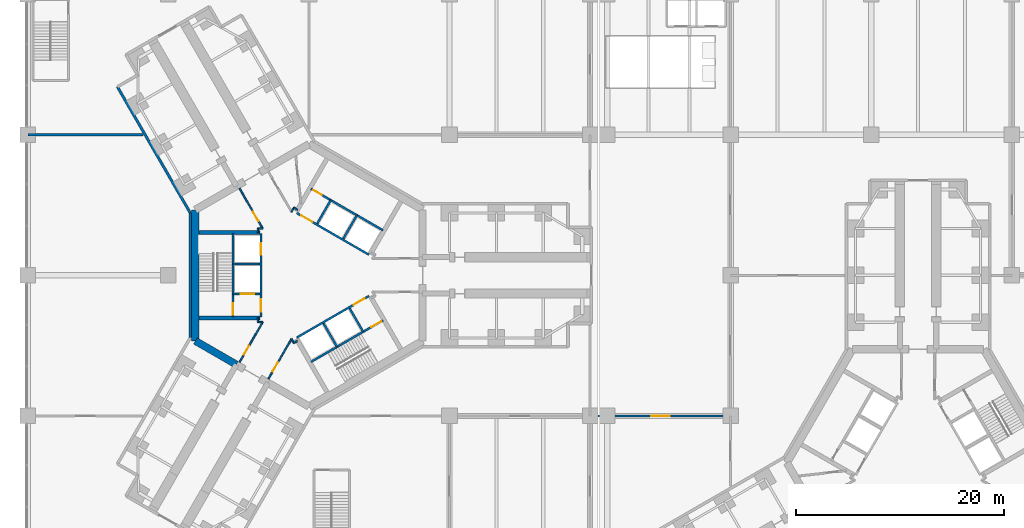
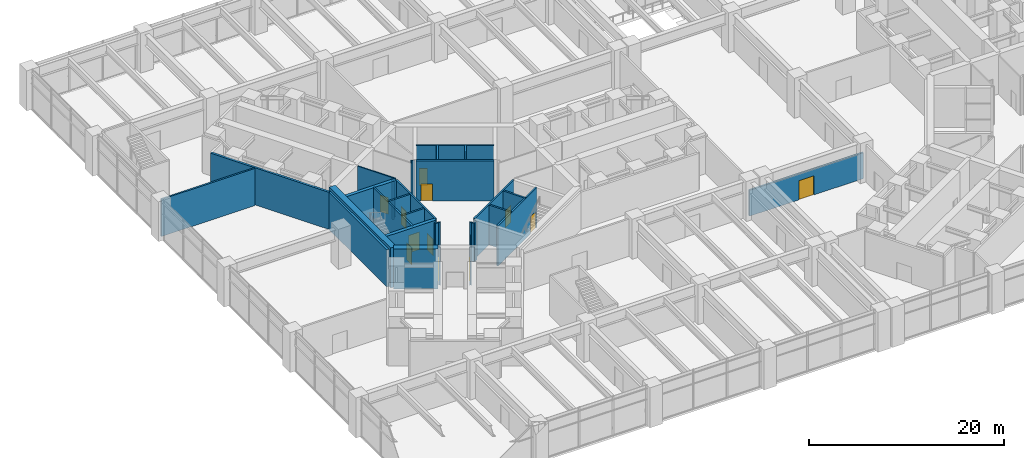
# One storey, part 22 of 31: 31 walls, 12 doors, 12 openings.
"""IFC4 building model written with IfcOpenShell, lengths in metres."""

from ifc_helpers import new_model, si_unit, direction, frame, frame_2d, origin, place, context, subcontext, project, spatial, rectangle, extrude, material, layer, layer_set, type_object, element, fill, save


model = new_model("IFC4")

# Units and contexts
model_context = context("Model", 3, precision=1e-05, world=origin(), true_north=direction((0.0, 1.0)))
body_context = subcontext(model_context, "Body", "Model", "MODEL_VIEW")
ifc_project = project(units=[si_unit("LENGTHUNIT", "METRE"), si_unit("AREAUNIT", "SQUARE_METRE"), si_unit("VOLUMEUNIT", "CUBIC_METRE"), si_unit("PLANEANGLEUNIT", "RADIAN"), si_unit("MASSUNIT", "GRAM", prefix="KILO")], contexts=[model_context])

# Site, building, storey
site_placement = place(None, origin())
site = spatial("IfcSite", under=ifc_project, at=site_placement, CompositionType="ELEMENT")
building_placement = place(site_placement, origin())
building = spatial("IfcBuilding", under=site, at=building_placement, Name="Upepo Twin Towers", CompositionType="ELEMENT")
storey_placement = place(building_placement, frame((0.0, 0.0, 15.5)))
storey = spatial("IfcBuildingStorey", under=building, at=storey_placement, Name="L03", CompositionType="ELEMENT", Elevation=15.5)

# Walls
ifc_material_1 = material(Name="Concrete C60/75", Category="concrete")
ifc_layer_1 = layer(ifc_material_1, 0.699951171875)
ifc_layer_set_1 = layer_set([ifc_layer_1], Name="Concrete C60/75")
wall_type_1 = type_object("IfcWallType", Name="Core wall 700 RC", PredefinedType="SHEAR", material=ifc_layer_set_1)
wall_1_placement = place(storey_placement, frame((-10.908447265625, 6.2978515625, 0.0), z_axis=(0.0, 0.0, 1.0), x_axis=(0.0, -1.0, 0.0)))
element("IfcWall", 1, at=wall_1_placement, inside=storey, type_object=wall_type_1, Name="T1 core wall 180", PredefinedType="SHEAR", context=body_context, shape_type="SweptSolid", body=[
    extrude(rectangle(XDim=12.595703125, YDim=0.699951171875, at=frame_2d((6.2978515625, 0.0))), origin(), (0.0, 0.0, 1.0), 5.0),
])
wall_2_placement = place(storey_placement, frame((-10.908447265625, -6.2978515625, 0.0), z_axis=(0.0, 0.0, 1.0), x_axis=(0.866034513004, -0.499984222037, 0.0)))
element("IfcWall", 2, at=wall_2_placement, inside=storey, type_object=wall_type_1, Name="T1 core wall 240 R", PredefinedType="SHEAR", context=body_context, shape_type="SweptSolid", body=[
    extrude(rectangle(XDim=4.548095703125, YDim=0.699951171875, at=frame_2d((2.27392578125, 0.0))), origin(), (0.0, 0.0, 1.0), 5.0),
])
ifc_material_2 = material(Name="Concrete blockwork", Category="masonry")
ifc_layer_2 = layer(ifc_material_2, 0.199951171875)
ifc_layer_set_2 = layer_set([ifc_layer_2], Name="Podium partition 200 blockwork")
wall_type_2 = type_object("IfcWallType", Name="Podium partition 200 blockwork", PredefinedType="PARTITIONING", material=ifc_layer_set_2)
wall_3_placement = place(storey_placement, frame((-27.0, 13.5, 0.0), z_axis=(0.0, 0.0, 1.0), x_axis=(1.0, 0.0, 0.0)))
element("IfcWall", 3, at=wall_3_placement, inside=storey, type_object=wall_type_2, Name="L03 podium wall Y04", PredefinedType="PARTITIONING", context=body_context, shape_type="SweptSolid", body=[
    extrude(rectangle(XDim=11.065185546875, YDim=0.199951171875, at=frame_2d((5.53271484375, 0.0))), origin(), (0.0, 0.0, 1.0), 4.64990234375),
])

# Wall, opening, door
wall_4_placement = place(storey_placement, frame((27.0, -13.5, 0.0), z_axis=(0.0, 0.0, 1.0), x_axis=(1.0, 0.0, 0.0)))
wall_4 = element("IfcWall", 4, at=wall_4_placement, inside=storey, type_object=wall_type_2, Name="L03 podium wall Y42", PredefinedType="PARTITIONING", context=body_context, shape_type="SweptSolid", body=[
    extrude(rectangle(XDim=13.5, YDim=0.199951171875, at=frame_2d((6.75, 0.0))), origin(), (0.0, 0.0, 1.0), 3.25),
])
opening_1_placement = place(wall_4_placement, frame((5.85009765625, 0.0, 0.0)))
opening_1 = element("IfcOpeningElement", 5, at=opening_1_placement, cuts=wall_4, Name="Opening D10", PredefinedType="OPENING", context=body_context, shape_type="SweptSolid", body=[
    extrude(rectangle(XDim=1.800048828125, YDim=2.39990234375, at=frame_2d((0.89990234375, 1.199951171875))), frame((0.0, 0.10986328125, 0.0), z_axis=(0.0, -1.0, 0.0), x_axis=(1.0, 0.0, 0.0)), (0.0, 0.0, 1.0), 0.219970703125),
])
ifc_material_3 = material(Name="Timber doorset", Category="wood")
door_type_1 = type_object("IfcDoorType", Name="Podium double door 1800", OperationType="DOUBLE_DOOR_DOUBLE_SWING", PredefinedType="DOOR", material=ifc_material_3)
door_1_placement = place(opening_1_placement, origin())
door_1 = element("IfcDoor", 6, at=door_1_placement, inside=storey, type_object=door_type_1, Name="L03 laboratory store door", OperationType="DOUBLE_DOOR_DOUBLE_SWING", OverallHeight=2.39990234375, OverallWidth=1.800048828125, PredefinedType="DOOR", context=body_context, shape_type="SweptSolid", body=[
    extrude(rectangle(XDim=1.800048828125, YDim=2.39990234375, at=frame_2d((0.89990234375, 1.199951171875))), frame((0.0, 0.02490234375, 0.0), z_axis=(0.0, -1.0, 0.0), x_axis=(1.0, 0.0, 0.0)), (0.0, 0.0, 1.0), 0.050048828125),
])
fill(opening_1, door_1)

ifc_material_4 = material(Name="Concrete C40/50", Category="concrete")
ifc_layer_3 = layer(ifc_material_4, 0.199951171875)
ifc_layer_set_3 = layer_set([ifc_layer_3], Name="Concrete C40/50")
wall_type_3 = type_object("IfcWallType", Name="Shaft wall 200 RC", PredefinedType="SHEAR", material=ifc_layer_set_3)
wall_5_placement = place(storey_placement, frame((5.76416015625, 1.983642578125, 0.0), z_axis=(0.0, 0.0, 1.0), x_axis=(-0.866026010844, 0.49999894854, 0.0)))
wall_5 = element("IfcWall", 7, at=wall_5_placement, inside=storey, type_object=wall_type_3, Name="T1 core W60 front wall", PredefinedType="SHEAR", context=body_context, shape_type="SweptSolid", body=[
    extrude(rectangle(XDim=8.0, YDim=0.199951171875, at=frame_2d((4.0, 0.0))), origin(), (0.0, 0.0, 1.0), 5.0),
])
opening_2_placement = place(wall_5_placement, frame((6.300048828125, 0.0, 0.0)))
opening_2 = element("IfcOpeningElement", 8, at=opening_2_placement, cuts=wall_5, Name="Opening D4", PredefinedType="OPENING", context=body_context, shape_type="SweptSolid", body=[
    extrude(rectangle(XDim=1.199951171875, YDim=2.10009765625, at=frame_2d((0.60009765625, 1.050048828125))), frame((0.0, 0.10986328125, 0.0), z_axis=(0.0, -1.0, 0.0), x_axis=(1.0, 0.0, 0.0)), (0.0, 0.0, 1.0), 0.219970703125),
])
ifc_material_5 = material(Name="Timber doorset", Category="wood")
door_type_2 = type_object("IfcDoorType", Name="Lobby door 1200 FD60", OperationType="SINGLE_SWING_LEFT", PredefinedType="DOOR", material=ifc_material_5)
door_2_placement = place(opening_2_placement, origin())
door_2 = element("IfcDoor", 9, at=door_2_placement, inside=storey, type_object=door_type_2, Name="T1 L03 W60 lobby door", OperationType="SINGLE_SWING_RIGHT", OverallHeight=2.10009765625, OverallWidth=1.199951171875, PredefinedType="DOOR", context=body_context, shape_type="SweptSolid", body=[
    extrude(rectangle(XDim=1.199951171875, YDim=2.10009765625, at=frame_2d((0.60009765625, 1.050048828125))), frame((0.0, 0.02490234375, 0.0), z_axis=(0.0, -1.0, 0.0), x_axis=(1.0, 0.0, 0.0)), (0.0, 0.0, 1.0), 0.050048828125),
])
fill(opening_2, door_2)

# Walls
for number, where, z_axis, x_axis, name in (
    (10, (3.302734375, 3.520263671875, 0.0), (0.0, 0.0, 1.0), (0.499936506574, 0.866062058628, 0.0), "T1 core W60 shaft divider"),
    (11, (0.791259765625, 4.97021484375, 0.0), (0.0, 0.0, 1.0), (0.499936506574, 0.866062058628, 0.0), "T1 core W60 lobby wall"),
):
    element("IfcWall", number, at=place(storey_placement, frame(where, z_axis=z_axis, x_axis=x_axis)), inside=storey, type_object=wall_type_3, Name=name, PredefinedType="SHEAR", context=body_context, shape_type="SweptSolid", body=[
        extrude(rectangle(XDim=2.599853515625, YDim=0.199951171875, at=frame_2d((1.2998046875, 0.0))), origin(), (0.0, 0.0, 1.0), 5.0),
    ])

# Wall, opening, door
wall_6_placement = place(storey_placement, frame((7.114013671875, 4.322021484375, 0.0), z_axis=(0.0, 0.0, 1.0), x_axis=(-0.866026010844, 0.49999894854, 0.0)))
wall_6 = element("IfcWall", 12, at=wall_6_placement, inside=storey, type_object=wall_type_3, Name="T1 core W60 stair wall", PredefinedType="SHEAR", context=body_context, shape_type="SweptSolid", body=[
    extrude(rectangle(XDim=8.0, YDim=0.199951171875, at=frame_2d((4.0, 0.0))), origin(), (0.0, 0.0, 1.0), 5.0),
])
opening_3_placement = place(wall_6_placement, frame((6.800048828125, 0.0, 0.0)))
opening_3 = element("IfcOpeningElement", 13, at=opening_3_placement, cuts=wall_6, Name="Opening D9", PredefinedType="OPENING", context=body_context, shape_type="SweptSolid", body=[
    extrude(rectangle(XDim=0.89990234375, YDim=2.10009765625, at=frame_2d((0.449951171875, 1.050048828125))), frame((0.0, 0.10986328125, 0.0), z_axis=(0.0, -1.0, 0.0), x_axis=(1.0, 0.0, 0.0)), (0.0, 0.0, 1.0), 0.219970703125),
])
ifc_material_6 = material(Name="Timber doorset", Category="wood")
door_type_3 = type_object("IfcDoorType", Name="Riser door 900 FD60", OperationType="SINGLE_SWING_LEFT", PredefinedType="DOOR", material=ifc_material_6)
door_3_placement = place(opening_3_placement, origin())
door_3 = element("IfcDoor", 14, at=door_3_placement, inside=storey, type_object=door_type_3, Name="T1 L03 riser door", OperationType="SINGLE_SWING_RIGHT", OverallHeight=2.10009765625, OverallWidth=0.89990234375, PredefinedType="DOOR", context=body_context, shape_type="SweptSolid", body=[
    extrude(rectangle(XDim=0.89990234375, YDim=2.10009765625, at=frame_2d((0.449951171875, 1.050048828125))), frame((0.0, 0.02490234375, 0.0), z_axis=(0.0, -1.0, 0.0), x_axis=(1.0, 0.0, 0.0)), (0.0, 0.0, 1.0), 0.050048828125),
])
fill(opening_3, door_3)

# Wall, openings, doors
wall_7_placement = place(storey_placement, frame((-4.60009765625, 4.0, 0.0), z_axis=(0.0, 0.0, 1.0), x_axis=(0.0, -1.0, 0.0)))
wall_7 = element("IfcWall", 15, at=wall_7_placement, inside=storey, type_object=wall_type_3, Name="T1 core W180 front wall", PredefinedType="SHEAR", context=body_context, shape_type="SweptSolid", body=[
    extrude(rectangle(XDim=8.0, YDim=0.199951171875, at=frame_2d((4.0, 0.0))), origin(), (0.0, 0.0, 1.0), 5.0),
])
opening_4_placement = place(wall_7_placement, frame((6.300048828125, 0.0, 0.0)))
opening_4 = element("IfcOpeningElement", 16, at=opening_4_placement, cuts=wall_7, Name="Opening D4", PredefinedType="OPENING", context=body_context, shape_type="SweptSolid", body=[
    extrude(rectangle(XDim=1.199951171875, YDim=2.10009765625, at=frame_2d((0.60009765625, 1.050048828125))), frame((0.0, 0.10986328125, 0.0), z_axis=(0.0, -1.0, 0.0), x_axis=(1.0, 0.0, 0.0)), (0.0, 0.0, 1.0), 0.219970703125),
])
opening_5_placement = place(wall_7_placement, frame((0.89990234375, 0.0, 0.0)))
opening_5 = element("IfcOpeningElement", 17, at=opening_5_placement, cuts=wall_7, Name="Opening LD1", PredefinedType="OPENING", context=body_context, shape_type="SweptSolid", body=[
    extrude(rectangle(XDim=1.10009765625, YDim=2.199951171875, at=frame_2d((0.550048828125, 1.10009765625))), frame((0.0, 0.10986328125, 0.0), z_axis=(0.0, -1.0, 0.0), x_axis=(1.0, 0.0, 0.0)), (0.0, 0.0, 1.0), 0.219970703125),
])
ifc_material_7 = material(Name="Steel doorset", Category="steel")
door_type_4 = type_object("IfcDoorType", Name="Lift landing door 1100", OperationType="DOUBLE_DOOR_SLIDING", PredefinedType="DOOR", material=ifc_material_7)
door_4_placement = place(opening_5_placement, origin())
door_4 = element("IfcDoor", 18, at=door_4_placement, inside=storey, type_object=door_type_4, Name="T1 L03 lift SV1 landing door", OperationType="DOUBLE_DOOR_SLIDING", OverallHeight=2.199951171875, OverallWidth=1.10009765625, PredefinedType="DOOR", context=body_context, shape_type="SweptSolid", body=[
    extrude(rectangle(XDim=1.10009765625, YDim=2.199951171875, at=frame_2d((0.550048828125, 1.10009765625))), frame((0.0, 0.02490234375, 0.0), z_axis=(0.0, -1.0, 0.0), x_axis=(1.0, 0.0, 0.0)), (0.0, 0.0, 1.0), 0.050048828125),
])
fill(opening_5, door_4)
door_5_placement = place(opening_4_placement, origin())
door_5 = element("IfcDoor", 19, at=door_5_placement, inside=storey, type_object=door_type_2, Name="T1 L03 W180 lobby door", OperationType="SINGLE_SWING_RIGHT", OverallHeight=2.10009765625, OverallWidth=1.199951171875, PredefinedType="DOOR", context=body_context, shape_type="SweptSolid", body=[
    extrude(rectangle(XDim=1.199951171875, YDim=2.10009765625, at=frame_2d((0.60009765625, 1.050048828125))), frame((0.0, 0.02490234375, 0.0), z_axis=(0.0, -1.0, 0.0), x_axis=(1.0, 0.0, 0.0)), (0.0, 0.0, 1.0), 0.050048828125),
])
fill(opening_4, door_5)

# Wall
wall_8_placement = place(storey_placement, frame((-4.699951171875, 1.10009765625, 0.0), z_axis=(0.0, 0.0, 1.0), x_axis=(-1.0, 0.0, 0.0)))
element("IfcWall", 20, at=wall_8_placement, inside=storey, type_object=wall_type_3, Name="T1 core W180 shaft divider", PredefinedType="SHEAR", context=body_context, shape_type="SweptSolid", body=[
    extrude(rectangle(XDim=2.60009765625, YDim=0.199951171875, at=frame_2d((1.300048828125, 0.0))), origin(), (0.0, 0.0, 1.0), 5.0),
])

# Wall, opening, door
wall_9_placement = place(storey_placement, frame((-4.699951171875, -1.800048828125, 0.0), z_axis=(0.0, 0.0, 1.0), x_axis=(-1.0, 0.0, 0.0)))
wall_9 = element("IfcWall", 21, at=wall_9_placement, inside=storey, type_object=wall_type_3, Name="T1 core W180 lobby wall", PredefinedType="SHEAR", context=body_context, shape_type="SweptSolid", body=[
    extrude(rectangle(XDim=2.60009765625, YDim=0.199951171875, at=frame_2d((1.300048828125, 0.0))), origin(), (0.0, 0.0, 1.0), 5.0),
])
opening_6_placement = place(wall_9_placement, frame((0.550048828125, 0.0, 0.0)))
opening_6 = element("IfcOpeningElement", 22, at=opening_6_placement, cuts=wall_9, Name="Opening LD2", PredefinedType="OPENING", context=body_context, shape_type="SweptSolid", body=[
    extrude(rectangle(XDim=1.300048828125, YDim=2.199951171875, at=frame_2d((0.64990234375, 1.10009765625))), frame((0.0, 0.10986328125, 0.0), z_axis=(0.0, -1.0, 0.0), x_axis=(1.0, 0.0, 0.0)), (0.0, 0.0, 1.0), 0.219970703125),
])
ifc_material_8 = material(Name="Steel doorset", Category="steel")
door_type_5 = type_object("IfcDoorType", Name="Firefighting lift landing door 1300", OperationType="DOUBLE_DOOR_SLIDING", PredefinedType="DOOR", material=ifc_material_8)
door_6_placement = place(opening_6_placement, origin())
door_6 = element("IfcDoor", 23, at=door_6_placement, inside=storey, type_object=door_type_5, Name="T1 L03 firefighting lift landing door", OperationType="DOUBLE_DOOR_SLIDING", OverallHeight=2.199951171875, OverallWidth=1.300048828125, PredefinedType="DOOR", context=body_context, shape_type="SweptSolid", body=[
    extrude(rectangle(XDim=1.300048828125, YDim=2.199951171875, at=frame_2d((0.64990234375, 1.10009765625))), frame((0.0, 0.02490234375, 0.0), z_axis=(0.0, -1.0, 0.0), x_axis=(1.0, 0.0, 0.0)), (0.0, 0.0, 1.0), 0.050048828125),
])
fill(opening_6, door_6)

wall_10_placement = place(storey_placement, frame((-7.300048828125, 4.0, 0.0), z_axis=(0.0, 0.0, 1.0), x_axis=(0.0, -1.0, 0.0)))
wall_10 = element("IfcWall", 24, at=wall_10_placement, inside=storey, type_object=wall_type_3, Name="T1 core W180 stair wall", PredefinedType="SHEAR", context=body_context, shape_type="SweptSolid", body=[
    extrude(rectangle(XDim=8.0, YDim=0.199951171875, at=frame_2d((4.0, 0.0))), origin(), (0.0, 0.0, 1.0), 5.0),
])
opening_7_placement = place(wall_10_placement, frame((6.699951171875, 0.0, 0.0)))
opening_7 = element("IfcOpeningElement", 25, at=opening_7_placement, cuts=wall_10, Name="Opening D3", PredefinedType="OPENING", context=body_context, shape_type="SweptSolid", body=[
    extrude(rectangle(XDim=1.10009765625, YDim=2.10009765625, at=frame_2d((0.550048828125, 1.050048828125))), frame((0.0, 0.10986328125, 0.0), z_axis=(0.0, -1.0, 0.0), x_axis=(1.0, 0.0, 0.0)), (0.0, 0.0, 1.0), 0.219970703125),
])
ifc_material_9 = material(Name="Timber doorset", Category="wood")
door_type_6 = type_object("IfcDoorType", Name="Stair door 1100 FD60", OperationType="SINGLE_SWING_LEFT", PredefinedType="DOOR", material=ifc_material_9)
door_7_placement = place(opening_7_placement, origin())
door_7 = element("IfcDoor", 26, at=door_7_placement, inside=storey, type_object=door_type_6, Name="T1 L03 stair door", OperationType="SINGLE_SWING_RIGHT", OverallHeight=2.10009765625, OverallWidth=1.10009765625, PredefinedType="DOOR", context=body_context, shape_type="SweptSolid", body=[
    extrude(rectangle(XDim=1.10009765625, YDim=2.10009765625, at=frame_2d((0.550048828125, 1.050048828125))), frame((0.0, 0.02490234375, 0.0), z_axis=(0.0, -1.0, 0.0), x_axis=(1.0, 0.0, 0.0)), (0.0, 0.0, 1.0), 0.050048828125),
])
fill(opening_7, door_7)

wall_11_placement = place(storey_placement, frame((-1.1640625, -5.983642578125, 0.0), z_axis=(0.0, 0.0, 1.0), x_axis=(0.866026010844, 0.49999894854, 0.0)))
wall_11 = element("IfcWall", 27, at=wall_11_placement, inside=storey, type_object=wall_type_3, Name="T1 core W300 front wall", PredefinedType="SHEAR", context=body_context, shape_type="SweptSolid", body=[
    extrude(rectangle(XDim=8.0, YDim=0.199951171875, at=frame_2d((4.0, 0.0))), origin(), (0.0, 0.0, 1.0), 5.0),
])
opening_8_placement = place(wall_11_placement, frame((6.300048828125, 0.0, 0.0)))
opening_8 = element("IfcOpeningElement", 28, at=opening_8_placement, cuts=wall_11, Name="Opening D4", PredefinedType="OPENING", context=body_context, shape_type="SweptSolid", body=[
    extrude(rectangle(XDim=1.199951171875, YDim=2.10009765625, at=frame_2d((0.60009765625, 1.050048828125))), frame((0.0, 0.10986328125, 0.0), z_axis=(0.0, -1.0, 0.0), x_axis=(1.0, 0.0, 0.0)), (0.0, 0.0, 1.0), 0.219970703125),
])
door_8_placement = place(opening_8_placement, origin())
door_8 = element("IfcDoor", 29, at=door_8_placement, inside=storey, type_object=door_type_2, Name="T1 L03 W300 lobby door", OperationType="SINGLE_SWING_RIGHT", OverallHeight=2.10009765625, OverallWidth=1.199951171875, PredefinedType="DOOR", context=body_context, shape_type="SweptSolid", body=[
    extrude(rectangle(XDim=1.199951171875, YDim=2.10009765625, at=frame_2d((0.60009765625, 1.050048828125))), frame((0.0, 0.02490234375, 0.0), z_axis=(0.0, -1.0, 0.0), x_axis=(1.0, 0.0, 0.0)), (0.0, 0.0, 1.0), 0.050048828125),
])
fill(opening_8, door_8)

# Walls
wall_12_placement = place(storey_placement, frame((1.3974609375, -4.620361328125, 0.0), z_axis=(0.0, 0.0, 1.0), x_axis=(0.499936506574, -0.866062058628, 0.0)))
element("IfcWall", 30, at=wall_12_placement, inside=storey, type_object=wall_type_3, Name="T1 core W300 shaft divider", PredefinedType="SHEAR", context=body_context, shape_type="SweptSolid", body=[
    extrude(rectangle(XDim=2.599853515625, YDim=0.199951171875, at=frame_2d((1.2998046875, 0.0))), origin(), (0.0, 0.0, 1.0), 5.0),
])
wall_13_placement = place(storey_placement, frame((3.908935546875, -3.17041015625, 0.0), z_axis=(0.0, 0.0, 1.0), x_axis=(0.49997716683, -0.86603858612, 0.0)))
element("IfcWall", 31, at=wall_13_placement, inside=storey, type_object=wall_type_3, Name="T1 core W300 lobby wall", PredefinedType="SHEAR", context=body_context, shape_type="SweptSolid", body=[
    extrude(rectangle(XDim=2.599609375, YDim=0.199951171875, at=frame_2d((1.2998046875, 0.0))), origin(), (0.0, 0.0, 1.0), 5.0),
])

# Wall, opening, door
wall_14_placement = place(storey_placement, frame((0.185791015625, -8.322021484375, 0.0), z_axis=(0.0, 0.0, 1.0), x_axis=(0.866026010844, 0.49999894854, 0.0)))
wall_14 = element("IfcWall", 32, at=wall_14_placement, inside=storey, type_object=wall_type_3, Name="T1 core W300 stair wall", PredefinedType="SHEAR", context=body_context, shape_type="SweptSolid", body=[
    extrude(rectangle(XDim=8.0, YDim=0.199951171875, at=frame_2d((4.0, 0.0))), origin(), (0.0, 0.0, 1.0), 5.0),
])
opening_9_placement = place(wall_14_placement, frame((6.699951171875, 0.0, 0.0)))
opening_9 = element("IfcOpeningElement", 33, at=opening_9_placement, cuts=wall_14, Name="Opening D3", PredefinedType="OPENING", context=body_context, shape_type="SweptSolid", body=[
    extrude(rectangle(XDim=1.10009765625, YDim=2.10009765625, at=frame_2d((0.550048828125, 1.050048828125))), frame((0.0, 0.10986328125, 0.0), z_axis=(0.0, -1.0, 0.0), x_axis=(1.0, 0.0, 0.0)), (0.0, 0.0, 1.0), 0.219970703125),
])
door_9_placement = place(opening_9_placement, origin())
door_9 = element("IfcDoor", 34, at=door_9_placement, inside=storey, type_object=door_type_6, Name="T1 L03 stair door", OperationType="SINGLE_SWING_RIGHT", OverallHeight=2.10009765625, OverallWidth=1.10009765625, PredefinedType="DOOR", context=body_context, shape_type="SweptSolid", body=[
    extrude(rectangle(XDim=1.10009765625, YDim=2.10009765625, at=frame_2d((0.550048828125, 1.050048828125))), frame((0.0, 0.02490234375, 0.0), z_axis=(0.0, -1.0, 0.0), x_axis=(1.0, 0.0, 0.0)), (0.0, 0.0, 1.0), 0.050048828125),
])
fill(opening_9, door_9)

# Walls
ifc_material_10 = material(Name="Concrete C40/50", Category="concrete")
ifc_layer_4 = layer(ifc_material_10, 0.39990234375)
ifc_layer_set_4 = layer_set([ifc_layer_4], Name="Concrete C40/50")
wall_type_4 = type_object("IfcWallType", Name="Shaft wall 400 RC", PredefinedType="SHEAR", material=ifc_layer_set_4)
for number, where, z_axis, x_axis, name in (
    (35, (-4.699951171875, -4.10009765625, 0.0), (0.0, 0.0, 1.0), (-1.0, 0.0, 0.0), "T1 core W180 side wall N"),
    (36, (-4.699951171875, 4.10009765625, 0.0), (0.0, 0.0, 1.0), (-1.0, 0.0, 0.0), "T1 core W180 side wall S"),
):
    element("IfcWall", number, at=place(storey_placement, frame(where, z_axis=z_axis, x_axis=x_axis)), inside=storey, type_object=wall_type_4, Name=name, PredefinedType="SHEAR", context=body_context, shape_type="SweptSolid", body=[
        extrude(rectangle(XDim=5.8583984375, YDim=0.39990234375, at=frame_2d((2.92919921875, 0.0))), origin(), (0.0, 0.0, 1.0), 5.0),
    ])
ifc_material_11 = material(Name="Gypsum board on steel studs", Category="steel")
ifc_layer_5 = layer(ifc_material_11, 0.14990234375)
ifc_layer_set_5 = layer_set([ifc_layer_5], Name="Teaching partition 150 acoustic")
wall_type_5 = type_object("IfcWallType", Name="Teaching partition 150 acoustic", PredefinedType="PARTITIONING", material=ifc_layer_set_5)
wall_15_placement = place(storey_placement, frame((-1.092041015625, -6.28857421875, 0.0), z_axis=(0.0, 0.0, 1.0), x_axis=(-0.866138304741, -0.499804398801, 0.0)))
element("IfcWall", 37, at=wall_15_placement, inside=storey, type_object=wall_type_5, Name="T1 core room partition 2", PredefinedType="PARTITIONING", context=body_context, shape_type="SweptSolid", body=[
    extrude(rectangle(XDim=0.429931640625, YDim=0.14990234375, at=frame_2d((0.21484375, 0.0))), origin(), (0.0, 0.0, 1.0), 4.800048828125),
])
wall_16_placement = place(storey_placement, frame((-1.43701171875, -6.5107421875, 0.0), z_axis=(0.0, 0.0, 1.0), x_axis=(-0.50033519877, 0.865831790172, 0.0)))
element("IfcWall", 38, at=wall_16_placement, inside=storey, type_object=wall_type_5, Name="T1 core room partition 3", PredefinedType="PARTITIONING", context=body_context, shape_type="SweptSolid", body=[
    extrude(rectangle(XDim=0.494384765625, YDim=0.14990234375, at=frame_2d((0.2470703125, 0.0))), origin(), (0.0, 0.0, 1.0), 4.800048828125),
])

# Wall, opening, door
wall_17_placement = place(storey_placement, frame((-1.664306640625, -6.082763671875, 0.0), z_axis=(0.0, 0.0, 1.0), x_axis=(-0.499999927604, -0.866025445582, 0.0)))
wall_17 = element("IfcWall", 39, at=wall_17_placement, inside=storey, type_object=wall_type_5, Name="T1 core room partition 4", PredefinedType="PARTITIONING", context=body_context, shape_type="SweptSolid", body=[
    extrude(rectangle(XDim=4.46826171875, YDim=0.14990234375, at=frame_2d((2.234130859375, 0.0))), origin(), (0.0, 0.0, 1.0), 4.800048828125),
])
opening_10_placement = place(wall_17_placement, frame((2.634033203125, 0.0, 0.0)))
opening_10 = element("IfcOpeningElement", 40, at=opening_10_placement, cuts=wall_17, Name="Opening D1", PredefinedType="OPENING", context=body_context, shape_type="SweptSolid", body=[
    extrude(rectangle(XDim=1.0, YDim=2.10009765625, at=frame_2d((0.5, 1.050048828125))), frame((0.0, 0.0849609375, 0.0), z_axis=(0.0, -1.0, 0.0), x_axis=(1.0, 0.0, 0.0)), (0.0, 0.0, 1.0), 0.169921875),
])
ifc_material_12 = material(Name="Timber doorset", Category="wood")
door_type_7 = type_object("IfcDoorType", Name="Room door 1000 FD30", OperationType="SINGLE_SWING_LEFT", PredefinedType="DOOR", material=ifc_material_12)
door_10_placement = place(opening_10_placement, origin())
door_10 = element("IfcDoor", 41, at=door_10_placement, inside=storey, type_object=door_type_7, Name="T1 L03 core room door K2", OperationType="SINGLE_SWING_RIGHT", OverallHeight=2.10009765625, OverallWidth=1.0, PredefinedType="DOOR", context=body_context, shape_type="SweptSolid", body=[
    extrude(rectangle(XDim=1.0, YDim=2.10009765625, at=frame_2d((0.5, 1.050048828125))), frame((0.0, 0.02490234375, 0.0), z_axis=(0.0, -1.0, 0.0), x_axis=(1.0, 0.0, 0.0)), (0.0, 0.0, 1.0), 0.050048828125),
])
fill(opening_10, door_10)

wall_18_placement = place(storey_placement, frame((-6.669921875, -8.3525390625, 0.0), z_axis=(0.0, 0.0, 1.0), x_axis=(0.500017246033, 0.866015446554, 0.0)))
wall_18 = element("IfcWall", 42, at=wall_18_placement, inside=storey, type_object=wall_type_5, Name="T1 core room partition 5", PredefinedType="PARTITIONING", context=body_context, shape_type="SweptSolid", body=[
    extrude(rectangle(XDim=4.468505859375, YDim=0.14990234375, at=frame_2d((2.234375, 0.0))), origin(), (0.0, 0.0, 1.0), 4.800048828125),
])
opening_11_placement = place(wall_18_placement, frame((0.83447265625, 0.0, 0.0)))
opening_11 = element("IfcOpeningElement", 43, at=opening_11_placement, cuts=wall_18, Name="Opening D1", PredefinedType="OPENING", context=body_context, shape_type="SweptSolid", body=[
    extrude(rectangle(XDim=1.0, YDim=2.10009765625, at=frame_2d((0.5, 1.050048828125))), frame((0.0, 0.0849609375, 0.0), z_axis=(0.0, -1.0, 0.0), x_axis=(1.0, 0.0, 0.0)), (0.0, 0.0, 1.0), 0.169921875),
])
door_11_placement = place(opening_11_placement, origin())
door_11 = element("IfcDoor", 44, at=door_11_placement, inside=storey, type_object=door_type_7, Name="T1 L03 core room door K1", OperationType="SINGLE_SWING_LEFT", OverallHeight=2.10009765625, OverallWidth=1.0, PredefinedType="DOOR", context=body_context, shape_type="SweptSolid", body=[
    extrude(rectangle(XDim=1.0, YDim=2.10009765625, at=frame_2d((0.5, 1.050048828125))), frame((0.0, 0.02490234375, 0.0), z_axis=(0.0, -1.0, 0.0), x_axis=(1.0, 0.0, 0.0)), (0.0, 0.0, 1.0), 0.050048828125),
])
fill(opening_11, door_11)

# Walls
wall_19_placement = place(storey_placement, frame((-4.425537109375, -4.5, 0.0), z_axis=(0.0, 0.0, 1.0), x_axis=(-1.0, 0.0, 0.0)))
element("IfcWall", 45, at=wall_19_placement, inside=storey, type_object=wall_type_5, Name="T1 core room partition 6", PredefinedType="PARTITIONING", context=body_context, shape_type="SweptSolid", body=[
    extrude(rectangle(XDim=0.494384765625, YDim=0.14990234375, at=frame_2d((0.2470703125, 0.0))), origin(), (0.0, 0.0, 1.0), 4.800048828125),
])
for number, where, z_axis, x_axis, name in (
    (46, (-4.89990234375, -4.52001953125, 0.0), (0.0, 0.0, 1.0), (0.0, 1.0, 0.0), "T1 core room partition 7"),
    (47, (-4.89990234375, 4.090087890625, 0.0), (0.0, 0.0, 1.0), (0.0, 1.0, 0.0), "T1 core room partition 8"),
):
    element("IfcWall", number, at=place(storey_placement, frame(where, z_axis=z_axis, x_axis=x_axis)), inside=storey, type_object=wall_type_5, Name=name, PredefinedType="PARTITIONING", context=body_context, shape_type="SweptSolid", body=[
        extrude(rectangle(XDim=0.429931640625, YDim=0.14990234375, at=frame_2d((0.21484375, 0.0))), origin(), (0.0, 0.0, 1.0), 4.800048828125),
    ])
wall_20_placement = place(storey_placement, frame((-4.919921875, 4.5, 0.0), z_axis=(0.0, 0.0, 1.0), x_axis=(1.0, 0.0, 0.0)))
element("IfcWall", 48, at=wall_20_placement, inside=storey, type_object=wall_type_5, Name="T1 core room partition 9", PredefinedType="PARTITIONING", context=body_context, shape_type="SweptSolid", body=[
    extrude(rectangle(XDim=0.494384765625, YDim=0.14990234375, at=frame_2d((0.2470703125, 0.0))), origin(), (0.0, 0.0, 1.0), 4.800048828125),
])

# Wall, opening, door
wall_21_placement = place(storey_placement, frame((-4.435546875, 4.482666015625, 0.0), z_axis=(0.0, 0.0, 1.0), x_axis=(-0.500017246033, 0.866015446554, 0.0)))
wall_21 = element("IfcWall", 49, at=wall_21_placement, inside=storey, type_object=wall_type_5, Name="T1 core room partition 10", PredefinedType="PARTITIONING", context=body_context, shape_type="SweptSolid", body=[
    extrude(rectangle(XDim=4.468505859375, YDim=0.14990234375, at=frame_2d((2.234375, 0.0))), origin(), (0.0, 0.0, 1.0), 4.800048828125),
])
opening_12_placement = place(wall_21_placement, frame((0.854736328125, 0.0, 0.0)))
opening_12 = element("IfcOpeningElement", 50, at=opening_12_placement, cuts=wall_21, Name="Opening D1", PredefinedType="OPENING", context=body_context, shape_type="SweptSolid", body=[
    extrude(rectangle(XDim=1.0, YDim=2.10009765625, at=frame_2d((0.5, 1.050048828125))), frame((0.0, 0.0849609375, 0.0), z_axis=(0.0, -1.0, 0.0), x_axis=(1.0, 0.0, 0.0)), (0.0, 0.0, 1.0), 0.169921875),
])
door_12_placement = place(opening_12_placement, origin())
door_12 = element("IfcDoor", 51, at=door_12_placement, inside=storey, type_object=door_type_7, Name="T1 L03 core room door K7", OperationType="SINGLE_SWING_LEFT", OverallHeight=2.10009765625, OverallWidth=1.0, PredefinedType="DOOR", context=body_context, shape_type="SweptSolid", body=[
    extrude(rectangle(XDim=1.0, YDim=2.10009765625, at=frame_2d((0.5, 1.050048828125))), frame((0.0, 0.02490234375, 0.0), z_axis=(0.0, -1.0, 0.0), x_axis=(1.0, 0.0, 0.0)), (0.0, 0.0, 1.0), 0.050048828125),
])
fill(opening_12, door_12)

# Walls
wall_22_placement = place(storey_placement, frame((-1.684326171875, 6.082763671875, 0.0), z_axis=(0.0, 0.0, 1.0), x_axis=(0.50033519877, 0.865831790172, 0.0)))
element("IfcWall", 52, at=wall_22_placement, inside=storey, type_object=wall_type_5, Name="T1 core room partition 12", PredefinedType="PARTITIONING", context=body_context, shape_type="SweptSolid", body=[
    extrude(rectangle(XDim=0.494384765625, YDim=0.14990234375, at=frame_2d((0.2470703125, 0.0))), origin(), (0.0, 0.0, 1.0), 4.800048828125),
])
wall_23_placement = place(storey_placement, frame((-1.46435546875, 6.50341796875, 0.0), z_axis=(0.0, 0.0, 1.0), x_axis=(0.866138304741, -0.499804398801, 0.0)))
element("IfcWall", 53, at=wall_23_placement, inside=storey, type_object=wall_type_5, Name="T1 core room partition 13", PredefinedType="PARTITIONING", context=body_context, shape_type="SweptSolid", body=[
    extrude(rectangle(XDim=0.429931640625, YDim=0.14990234375, at=frame_2d((0.21484375, 0.0))), origin(), (0.0, 0.0, 1.0), 4.800048828125),
])
ifc_material_13 = material(Name="Concrete blockwork", Category="masonry")
ifc_layer_6 = layer(ifc_material_13, 0.25)
ifc_layer_set_6 = layer_set([ifc_layer_6], Name="Tower enclosure wall 250 blockwork")
wall_type_6 = type_object("IfcWallType", Name="Tower enclosure wall 250 blockwork", PredefinedType="STANDARD", material=ifc_layer_set_6)
wall_24_placement = place(storey_placement, frame((-11.38330078125, -5.966552734375, 0.0), z_axis=(0.0, 0.0, 1.0), x_axis=(0.0, 1.0, 0.0)))
element("IfcWall", 54, at=wall_24_placement, inside=storey, type_object=wall_type_6, Name="T1 L03 enclosure wall 6", PredefinedType="STANDARD", context=body_context, shape_type="SweptSolid", body=[
    extrude(rectangle(XDim=11.93310546875, YDim=0.25, at=frame_2d((5.966552734375, 0.0))), origin(), (0.0, 0.0, 1.0), 4.64990234375),
])
wall_25_placement = place(storey_placement, frame((-11.38330078125, 5.966552734375, 0.0), z_axis=(0.0, 0.0, 1.0), x_axis=(-0.499996367808, 0.866027500821, 0.0)))
element("IfcWall", 55, at=wall_25_placement, inside=storey, type_object=wall_type_6, Name="T1 L03 enclosure wall 7", PredefinedType="STANDARD", context=body_context, shape_type="SweptSolid", body=[
    extrude(rectangle(XDim=14.01611328125, YDim=0.25, at=frame_2d((7.008056640625, 0.0))), origin(), (0.0, 0.0, 1.0), 4.64990234375),
])

save(model, "model.ifc")
